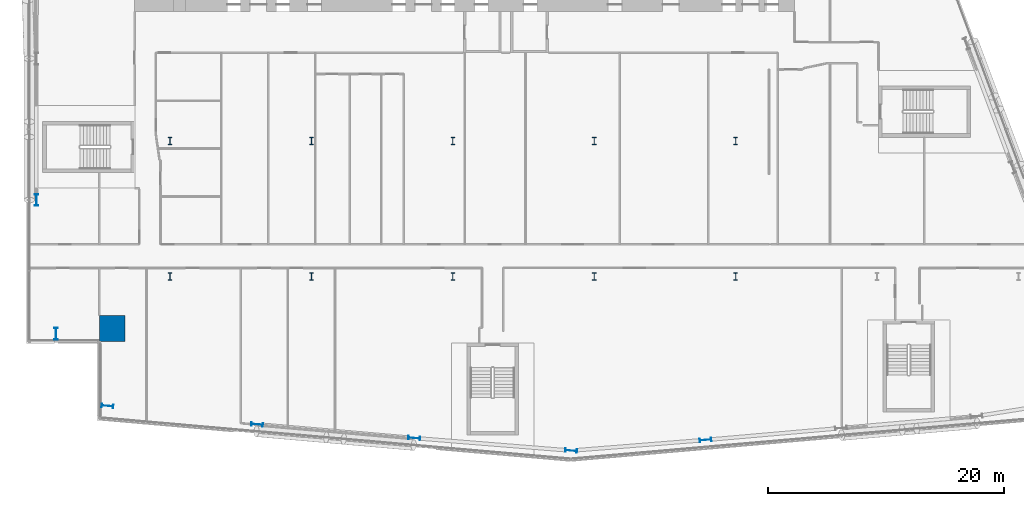
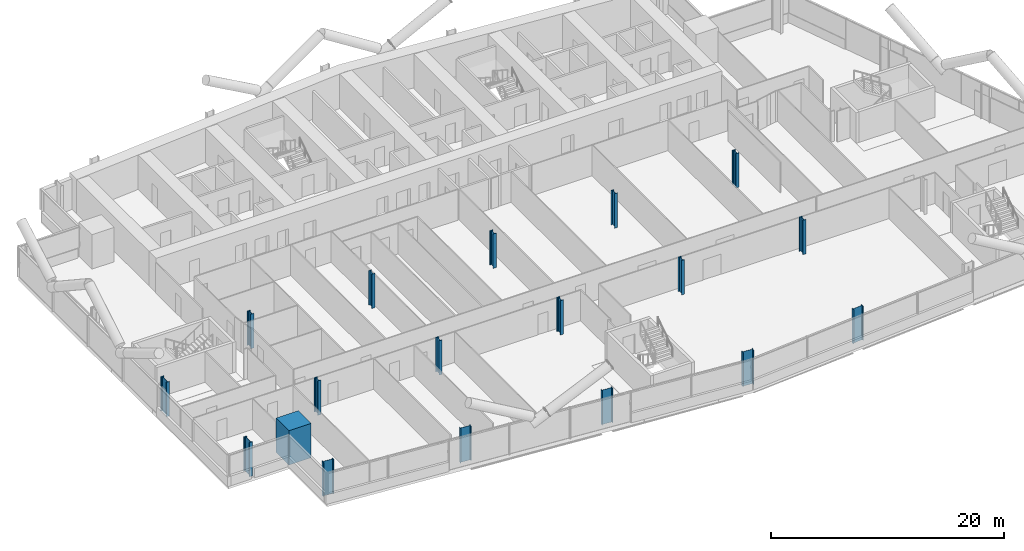
# One storey, part 1 of 27: 18 columns.
"""IFC4 building model written with IfcOpenShell, lengths in metres."""

from ifc_helpers import new_model, si_unit, direction, frame, origin, origin_2d, place, context, subcontext, project, spatial, rectangle, i_section, extrude, material, material_profile, profile_set, type_object, element, save


model = new_model("IFC4")

# Units and contexts
model_context = context("Model", 3, precision=1e-05, world=origin(), true_north=direction((0.0, 1.0)))
body_context = subcontext(model_context, "Body", "Model", "MODEL_VIEW")
ifc_project = project(units=[si_unit("LENGTHUNIT", "METRE"), si_unit("AREAUNIT", "SQUARE_METRE"), si_unit("VOLUMEUNIT", "CUBIC_METRE"), si_unit("PLANEANGLEUNIT", "RADIAN"), si_unit("MASSUNIT", "GRAM", prefix="KILO")], contexts=[model_context])

# Site, building, storey
site_placement = place(None, origin())
site = spatial("IfcSite", under=ifc_project, at=site_placement, CompositionType="ELEMENT")
building_placement = place(site_placement, origin())
building = spatial("IfcBuilding", under=site, at=building_placement, Name="Wharfspan Tower", CompositionType="ELEMENT")
storey_placement = place(building_placement, frame((0.0, 0.0, 48.699951)))
storey = spatial("IfcBuildingStorey", under=building, at=storey_placement, Name="L08", CompositionType="ELEMENT", Elevation=48.699951)

# Columns
ifc_material_1 = material(Name="Steel S355J2", Category="steel")
ifc_material_profile_1 = material_profile(ifc_material_1, i_section(OverallWidth=0.302002, OverallDepth=1.008057, WebThickness=0.020996, FlangeThickness=0.040039, FilletRadius=0.030029, at=origin_2d()))
ifc_profile_set_1 = profile_set([ifc_material_profile_1], Name="Steel S355J2")
column_type_1 = type_object("IfcColumnType", Name="Column HEM 1000", PredefinedType="COLUMN", material=ifc_profile_set_1)
for number, where, z_axis, x_axis, name in (
    (1, (6.694336, 0.528564, 0.0), (0.0, 0.0, 1.0), (-0.087156, -0.996198, 0.0), "Perimeter column PS1.1 L08"),
    (2, (19.390869, -1.033936, 0.0), (0.0, 0.0, 1.0), (-0.087156, -0.996198, 0.0), "Perimeter column PS1.2 L08"),
    (3, (32.724121, -2.200439, 0.0), (0.0, 0.0, 1.0), (-0.087156, -0.996198, 0.0), "Perimeter column PS1.3 L08"),
    (4, (46.04248, -3.268066, 0.0), (0.0, 0.0, 1.0), (-0.087156, -0.996198, 0.0), "Perimeter column PS1.4 L08"),
    (5, (57.442383, -2.36084, 0.0), (0.0, 0.0, 1.0), (0.087156, -0.996198, 0.0), "Perimeter column PS2.1 L08"),
    (6, (0.659912, 18.0, 0.0), (0.0, 0.0, 1.0), (-1.0, 0.0, 0.0), "Perimeter column PW.2 L08"),
    (7, (2.331787, 6.66748, 0.0), (0.0, 0.0, 1.0), (-1.0, 0.0, 0.0), "Perimeter column PW.3 L08"),
):
    element("IfcColumn", number, at=place(storey_placement, frame(where, z_axis=z_axis, x_axis=x_axis)), inside=storey, type_object=column_type_1, Name=name, PredefinedType="COLUMN", context=body_context, shape_type="SweptSolid", body=[
        extrude(i_section(OverallWidth=0.302002, OverallDepth=1.008057, WebThickness=0.020996, FlangeThickness=0.040039, FilletRadius=0.030029, at=origin_2d()), origin(), (0.0, 0.0, 1.0), 3.600098),
    ])
ifc_material_profile_2 = material_profile(ifc_material_1, i_section(OverallWidth=0.304932, OverallDepth=0.620117, WebThickness=0.020996, FlangeThickness=0.040039, FilletRadius=0.0271, at=origin_2d()))
ifc_profile_set_2 = profile_set([ifc_material_profile_2], Name="Steel S355J2")
column_type_2 = type_object("IfcColumnType", Name="Column HEM 600", PredefinedType="COLUMN", material=ifc_profile_set_2)
for number, where, z_axis, x_axis, name in (
    (8, (12.0, 11.5, 0.0), (0.0, 0.0, 1.0), (1.0, 0.0, 0.0), "Interior column I.1.1 L08"),
    (9, (24.0, 11.5, 0.0), (0.0, 0.0, 1.0), (1.0, 0.0, 0.0), "Interior column I.1.2 L08"),
    (10, (36.0, 11.5, 0.0), (0.0, 0.0, 1.0), (1.0, 0.0, 0.0), "Interior column I.1.3 L08"),
    (11, (48.0, 11.5, 0.0), (0.0, 0.0, 1.0), (1.0, 0.0, 0.0), "Interior column I.1.4 L08"),
    (12, (60.0, 11.5, 0.0), (0.0, 0.0, 1.0), (1.0, 0.0, 0.0), "Interior column I.1.5 L08"),
    (13, (12.0, 23.0, 0.0), (0.0, 0.0, 1.0), (1.0, 0.0, 0.0), "Interior column I.2.1 L08"),
    (14, (24.0, 23.0, 0.0), (0.0, 0.0, 1.0), (1.0, 0.0, 0.0), "Interior column I.2.2 L08"),
    (15, (36.0, 23.0, 0.0), (0.0, 0.0, 1.0), (1.0, 0.0, 0.0), "Interior column I.2.3 L08"),
    (16, (48.0, 23.0, 0.0), (0.0, 0.0, 1.0), (1.0, 0.0, 0.0), "Interior column I.2.4 L08"),
    (17, (60.0, 23.0, 0.0), (0.0, 0.0, 1.0), (1.0, 0.0, 0.0), "Interior column I.2.5 L08"),
):
    element("IfcColumn", number, at=place(storey_placement, frame(where, z_axis=z_axis, x_axis=x_axis)), inside=storey, type_object=column_type_2, Name=name, PredefinedType="COLUMN", context=body_context, shape_type="SweptSolid", body=[
        extrude(i_section(OverallWidth=0.304932, OverallDepth=0.620117, WebThickness=0.020996, FlangeThickness=0.040039, FilletRadius=0.0271, at=origin_2d()), origin(), (0.0, 0.0, 1.0), 3.600098),
    ])
ifc_material_2 = material(Name="Concrete C70/85", Category="concrete")
ifc_material_profile_3 = material_profile(ifc_material_2, rectangle(XDim=2.199951, YDim=2.199951, at=origin_2d()))
ifc_profile_set_3 = profile_set([ifc_material_profile_3], Name="Concrete C70/85")
column_type_3 = type_object("IfcColumnType", Name="Mega column 2200 C70/85", PredefinedType="COLUMN", material=ifc_profile_set_3)
column_placement = place(storey_placement, frame((7.100098, 7.100098, 0.0), z_axis=(0.0, 0.0, 1.0), x_axis=(1.0, 0.0, 0.0)))
element("IfcColumn", 18, at=column_placement, inside=storey, type_object=column_type_3, Name="Mega column MC1 L08", PredefinedType="COLUMN", context=body_context, shape_type="SweptSolid", body=[
    extrude(rectangle(XDim=2.199951, YDim=2.199951, at=origin_2d()), origin(), (0.0, 0.0, 1.0), 3.600098),
])

save(model, "model.ifc")
